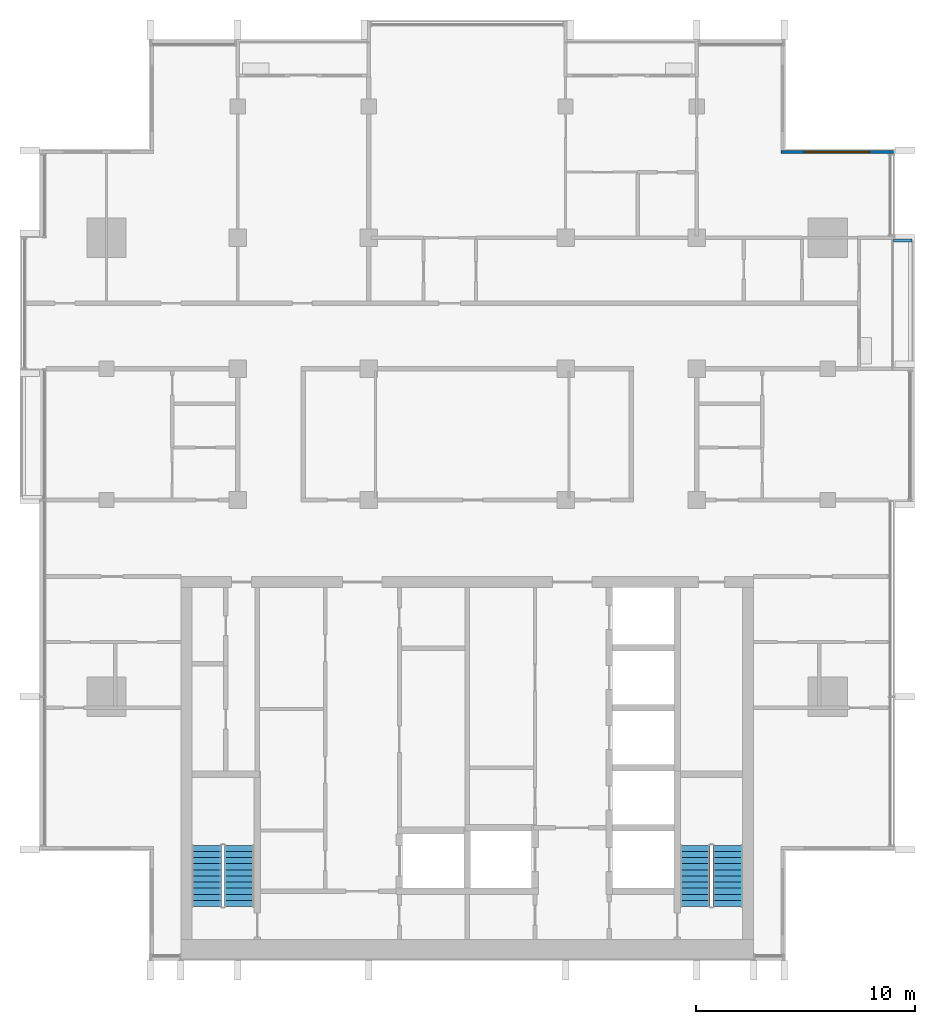
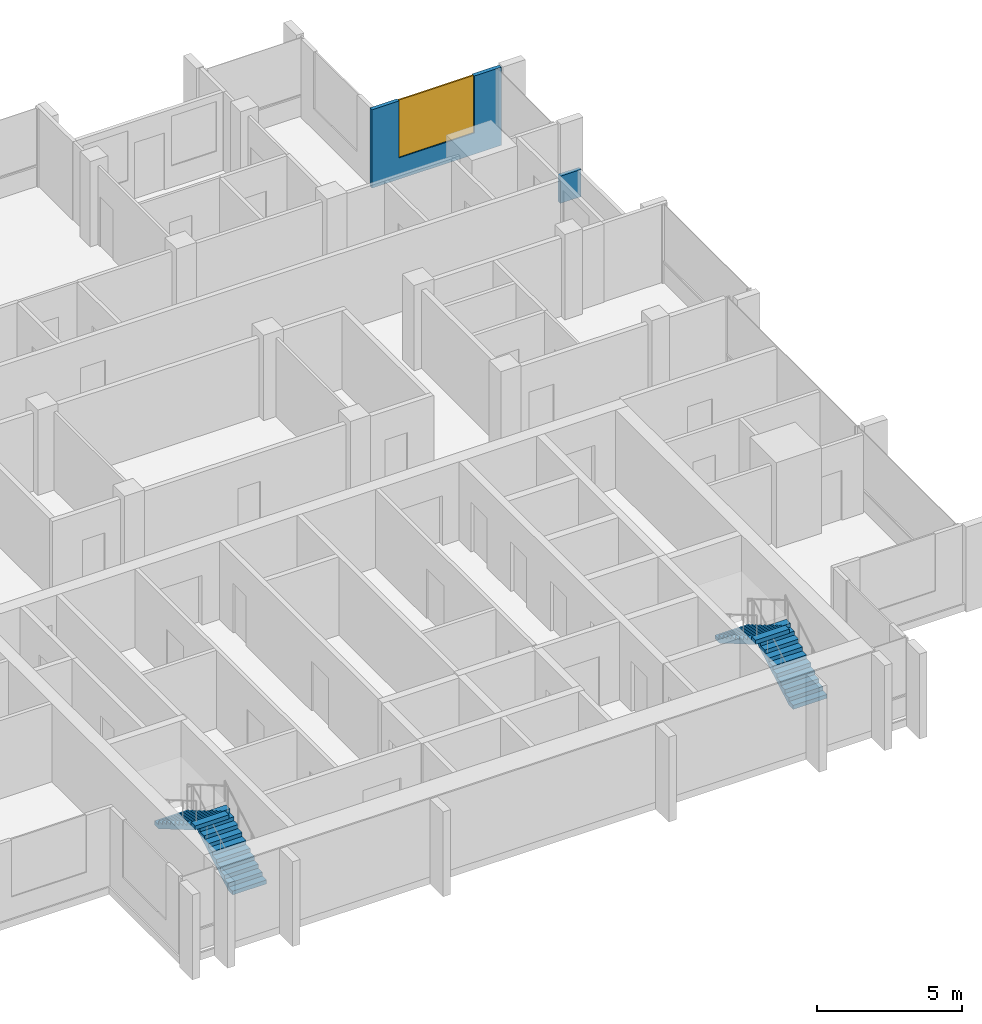
# One storey, part 11 of 16: 4 stair flights, 2 walls, 1 window, 1 opening, 2 elements without a shape of their own.
"""IFC4 building model written with IfcOpenShell, lengths in metres."""

from ifc_helpers import new_model, si_unit, direction, frame, frame_2d, origin, place, context, subcontext, project, spatial, polyline, rectangle, outline, extrude, material, layer, layer_set, type_object, element, fill, aggregate, save


model = new_model("IFC4")

# Units and contexts
model_context = context("Model", 3, precision=1e-05, world=origin(), true_north=direction((0.0, 1.0)))
body_context = subcontext(model_context, "Body", "Model", "MODEL_VIEW")
ifc_project = project(units=[si_unit("LENGTHUNIT", "METRE"), si_unit("AREAUNIT", "SQUARE_METRE"), si_unit("VOLUMEUNIT", "CUBIC_METRE"), si_unit("PLANEANGLEUNIT", "RADIAN"), si_unit("MASSUNIT", "GRAM", prefix="KILO")], contexts=[model_context])

# Site, building, storey
site_placement = place(None, origin())
site = spatial("IfcSite", under=ifc_project, at=site_placement, CompositionType="ELEMENT")
building_placement = place(site_placement, origin())
building = spatial("IfcBuilding", under=site, at=building_placement, Name="Finial Court Residences", CompositionType="ELEMENT")
storey_placement = place(building_placement, frame((0.0, 0.0, 259.10009765625)))
storey = spatial("IfcBuildingStorey", under=building, at=storey_placement, Name="L65", CompositionType="ELEMENT", Elevation=259.10009765625)

# Wall
ifc_material_1 = material(Name="Concrete C35/45", Category="concrete")
ifc_layer_1 = layer(ifc_material_1, 0.14990234375)
ifc_layer_set_1 = layer_set([ifc_layer_1], Name="Ledge parapet, Concrete C35/45 150")
wall_type_1 = type_object("IfcWallType", Name="Ledge parapet, Concrete C35/45 150", PredefinedType="PARAPET", material=ifc_layer_set_1)
wall_1_placement = place(storey_placement, frame((19.510009765625, 7.375, 0.0), z_axis=(0.0, 0.0, 1.0), x_axis=(1.0, 0.0, 0.0)))
element("IfcWall", 1, at=wall_1_placement, inside=storey, type_object=wall_type_1, Name="E-L65-LED2-P1", PredefinedType="PARAPET", context=body_context, shape_type="SweptSolid", body=[
    extrude(rectangle(XDim=0.840087890625, YDim=0.14990234375, at=frame_2d((0.419921875, 0.0))), origin(), (0.0, 0.0, 1.0), 1.14990234375),
])

# Wall, opening, window
ifc_material_2 = material(Name="Natural limestone", Category="masonry")
ifc_layer_2 = layer(ifc_material_2, 0.14990234375)
ifc_layer_set_2 = layer_set([ifc_layer_2], Name="Limestone clad wall 150")
wall_type_2 = type_object("IfcWallType", Name="Limestone clad wall 150", PredefinedType="SOLIDWALL", material=ifc_layer_set_2)
wall_2_placement = place(storey_placement, frame((14.35009765625, 11.425048828125, 0.0), z_axis=(0.0, 0.0, 1.0), x_axis=(1.0, 0.0, 0.0)))
wall_2 = element("IfcWall", 2, at=wall_2_placement, inside=storey, type_object=wall_type_2, Name="E-L65-NWN19", PredefinedType="SOLIDWALL", context=body_context, shape_type="SweptSolid", body=[
    extrude(rectangle(XDim=5.14990234375, YDim=0.14990234375, at=frame_2d((2.574951171875, 0.0))), origin(), (0.0, 0.0, 1.0), 3.2998046875),
])
opening_placement = place(wall_2_placement, frame((1.074951171875, 0.0, 0.89990234375)))
opening = element("IfcOpeningElement", 3, at=opening_placement, cuts=wall_2, Name="Opening WE65-09", PredefinedType="OPENING", context=body_context, shape_type="SweptSolid", body=[
    extrude(rectangle(XDim=3.0, YDim=2.39990234375, at=frame_2d((1.5, 1.199951171875))), frame((0.0, 0.0849609375, 0.0), z_axis=(0.0, -1.0, 0.0), x_axis=(1.0, 0.0, 0.0)), (0.0, 0.0, 1.0), 0.169921875),
])
ifc_material_3 = material(Name="Clear low-e glass", Category="glass")
window_type = type_object("IfcWindowType", Name="Corner window 3000 x 2400", PartitioningType="SINGLE_PANEL", PredefinedType="WINDOW", material=ifc_material_3)
window_placement = place(opening_placement, origin())
window = element("IfcWindow", 4, at=window_placement, inside=storey, type_object=window_type, Name="E-L65-NWN19-W1", OverallHeight=2.39990234375, OverallWidth=3.0, PartitioningType="SINGLE_PANEL", PredefinedType="WINDOW", context=body_context, shape_type="SweptSolid", body=[
    extrude(rectangle(XDim=3.0, YDim=2.39990234375, at=frame_2d((1.5, 1.199951171875))), frame((0.0, 0.030029296875, 0.0), z_axis=(0.0, -1.0, 0.0), x_axis=(1.0, 0.0, 0.0)), (0.0, 0.0, 1.0), 0.06005859375),
])
fill(opening, window)

# Stair, stair flights
ifc_material_4 = material(Name="Concrete C50/60", Category="concrete")
stair_type = type_object("IfcStairType", Name="Exit stair 22 risers of 163.6 mm", PredefinedType="HALF_TURN_STAIR", material=ifc_material_4)
stair_1_placement = place(storey_placement, origin())
stair_1 = element("IfcStair", 5, at=stair_1_placement, inside=storey, type_object=stair_type, Name="L65 Exit stair ST-1", PredefinedType="HALF_TURN_STAIR")
stair_flight_type = type_object("IfcStairFlightType", Name="Exit stair flight", PredefinedType="STRAIGHT", material=ifc_material_4)
stair_flight_1_placement = place(storey_placement, frame((-10.425048828125, -23.10009765625, 0.0), z_axis=(0.0, 0.0, 1.0), x_axis=(0.0, 1.0, 0.0)))
stair_flight_1 = element("IfcStairFlight", 6, at=stair_flight_1_placement, type_object=stair_flight_type, Name="ST-1 flight 1", NumberOfRisers=11, NumberOfTreads=10, PredefinedType="STRAIGHT", RiserHeight=0.163636364, TreadLength=0.28, context=body_context, shape_type="SweptSolid", body=[
    extrude(outline(polyline([(0.0, 0.0), (0.0, 0.16357421875), (0.280029296875, 0.16357421875), (0.280029296875, 0.327392578125), (0.56005859375, 0.327392578125), (0.56005859375, 0.490966796875), (0.840087890625, 0.490966796875), (0.840087890625, 0.654541015625), (1.1201171875, 0.654541015625), (1.1201171875, 0.818115234375), (1.39990234375, 0.818115234375), (1.39990234375, 0.98193359375), (1.679931640625, 0.98193359375), (1.679931640625, 1.1455078125), (1.9599609375, 1.1455078125), (1.9599609375, 1.30908203125), (2.239990234375, 1.30908203125), (2.239990234375, 1.47265625), (2.52001953125, 1.47265625), (2.52001953125, 1.636474609375), (2.800048828125, 1.636474609375), (2.800048828125, 1.800048828125), (2.800048828125, 1.462646484375), (0.297119140625, 0.0), (0.0, 0.0)])), frame((0.0, 0.675048828125, 0.0), z_axis=(0.0, -1.0, 0.0), x_axis=(1.0, 0.0, 0.0)), (0.0, 0.0, 1.0), 1.35009765625),
])
stair_flight_2_placement = place(storey_placement, frame((-11.925048828125, -20.300048828125, 1.7998046875), z_axis=(0.0, 0.0, 1.0), x_axis=(0.0, -1.0, 0.0)))
stair_flight_2 = element("IfcStairFlight", 7, at=stair_flight_2_placement, type_object=stair_flight_type, Name="ST-1 flight 2", NumberOfRisers=11, NumberOfTreads=10, PredefinedType="STRAIGHT", RiserHeight=0.163636364, TreadLength=0.28, context=body_context, shape_type="SweptSolid", body=[
    extrude(outline(polyline([(0.0, 0.0), (0.0, 0.16357421875), (0.280029296875, 0.16357421875), (0.280029296875, 0.327392578125), (0.56005859375, 0.327392578125), (0.56005859375, 0.490966796875), (0.840087890625, 0.490966796875), (0.840087890625, 0.654541015625), (1.1201171875, 0.654541015625), (1.1201171875, 0.818115234375), (1.39990234375, 0.818115234375), (1.39990234375, 0.98193359375), (1.679931640625, 0.98193359375), (1.679931640625, 1.1455078125), (1.9599609375, 1.1455078125), (1.9599609375, 1.30908203125), (2.239990234375, 1.30908203125), (2.239990234375, 1.47265625), (2.52001953125, 1.47265625), (2.52001953125, 1.636474609375), (2.800048828125, 1.636474609375), (2.800048828125, 1.800048828125), (2.800048828125, 1.462646484375), (0.297119140625, 0.0), (0.0, 0.0)])), frame((0.0, 0.675048828125, 0.0), z_axis=(0.0, -1.0, 0.0), x_axis=(1.0, 0.0, 0.0)), (0.0, 0.0, 1.0), 1.35009765625),
])
aggregate(stair_1, [stair_flight_1, stair_flight_2])

stair_2_placement = place(storey_placement, origin())
stair_2 = element("IfcStair", 8, at=stair_2_placement, inside=storey, type_object=stair_type, Name="L65 Exit stair ST-2", PredefinedType="HALF_TURN_STAIR")
stair_flight_3_placement = place(storey_placement, frame((11.925048828125, -23.10009765625, 0.0), z_axis=(0.0, 0.0, 1.0), x_axis=(0.0, 1.0, 0.0)))
stair_flight_3 = element("IfcStairFlight", 9, at=stair_flight_3_placement, type_object=stair_flight_type, Name="ST-2 flight 1", NumberOfRisers=11, NumberOfTreads=10, PredefinedType="STRAIGHT", RiserHeight=0.163636364, TreadLength=0.28, context=body_context, shape_type="SweptSolid", body=[
    extrude(outline(polyline([(0.0, 0.0), (0.0, 0.16357421875), (0.280029296875, 0.16357421875), (0.280029296875, 0.327392578125), (0.56005859375, 0.327392578125), (0.56005859375, 0.490966796875), (0.840087890625, 0.490966796875), (0.840087890625, 0.654541015625), (1.1201171875, 0.654541015625), (1.1201171875, 0.818115234375), (1.39990234375, 0.818115234375), (1.39990234375, 0.98193359375), (1.679931640625, 0.98193359375), (1.679931640625, 1.1455078125), (1.9599609375, 1.1455078125), (1.9599609375, 1.30908203125), (2.239990234375, 1.30908203125), (2.239990234375, 1.47265625), (2.52001953125, 1.47265625), (2.52001953125, 1.636474609375), (2.800048828125, 1.636474609375), (2.800048828125, 1.800048828125), (2.800048828125, 1.462646484375), (0.297119140625, 0.0), (0.0, 0.0)])), frame((0.0, 0.675048828125, 0.0), z_axis=(0.0, -1.0, 0.0), x_axis=(1.0, 0.0, 0.0)), (0.0, 0.0, 1.0), 1.35009765625),
])
stair_flight_4_placement = place(storey_placement, frame((10.425048828125, -20.300048828125, 1.7998046875), z_axis=(0.0, 0.0, 1.0), x_axis=(0.0, -1.0, 0.0)))
stair_flight_4 = element("IfcStairFlight", 10, at=stair_flight_4_placement, type_object=stair_flight_type, Name="ST-2 flight 2", NumberOfRisers=11, NumberOfTreads=10, PredefinedType="STRAIGHT", RiserHeight=0.163636364, TreadLength=0.28, context=body_context, shape_type="SweptSolid", body=[
    extrude(outline(polyline([(0.0, 0.0), (0.0, 0.16357421875), (0.280029296875, 0.16357421875), (0.280029296875, 0.327392578125), (0.56005859375, 0.327392578125), (0.56005859375, 0.490966796875), (0.840087890625, 0.490966796875), (0.840087890625, 0.654541015625), (1.1201171875, 0.654541015625), (1.1201171875, 0.818115234375), (1.39990234375, 0.818115234375), (1.39990234375, 0.98193359375), (1.679931640625, 0.98193359375), (1.679931640625, 1.1455078125), (1.9599609375, 1.1455078125), (1.9599609375, 1.30908203125), (2.239990234375, 1.30908203125), (2.239990234375, 1.47265625), (2.52001953125, 1.47265625), (2.52001953125, 1.636474609375), (2.800048828125, 1.636474609375), (2.800048828125, 1.800048828125), (2.800048828125, 1.462646484375), (0.297119140625, 0.0), (0.0, 0.0)])), frame((0.0, 0.675048828125, 0.0), z_axis=(0.0, -1.0, 0.0), x_axis=(1.0, 0.0, 0.0)), (0.0, 0.0, 1.0), 1.35009765625),
])
aggregate(stair_2, [stair_flight_3, stair_flight_4])

save(model, "model.ifc")
